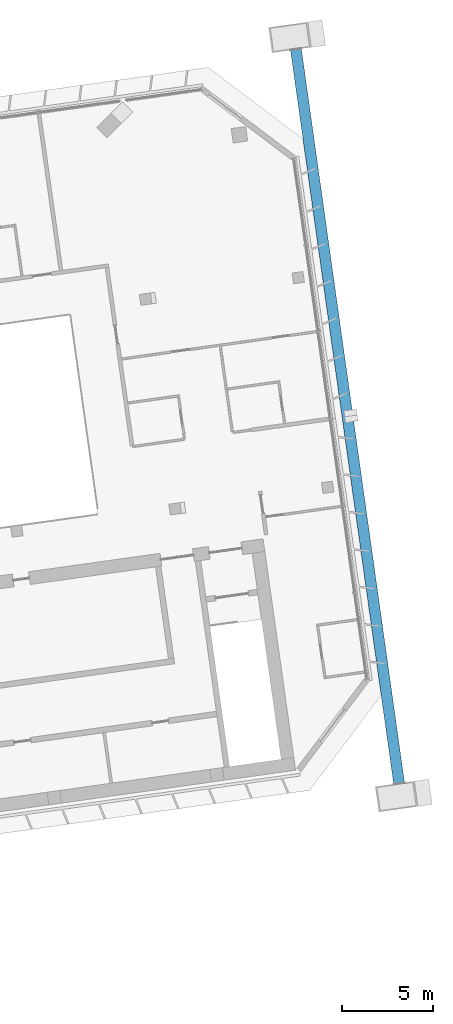
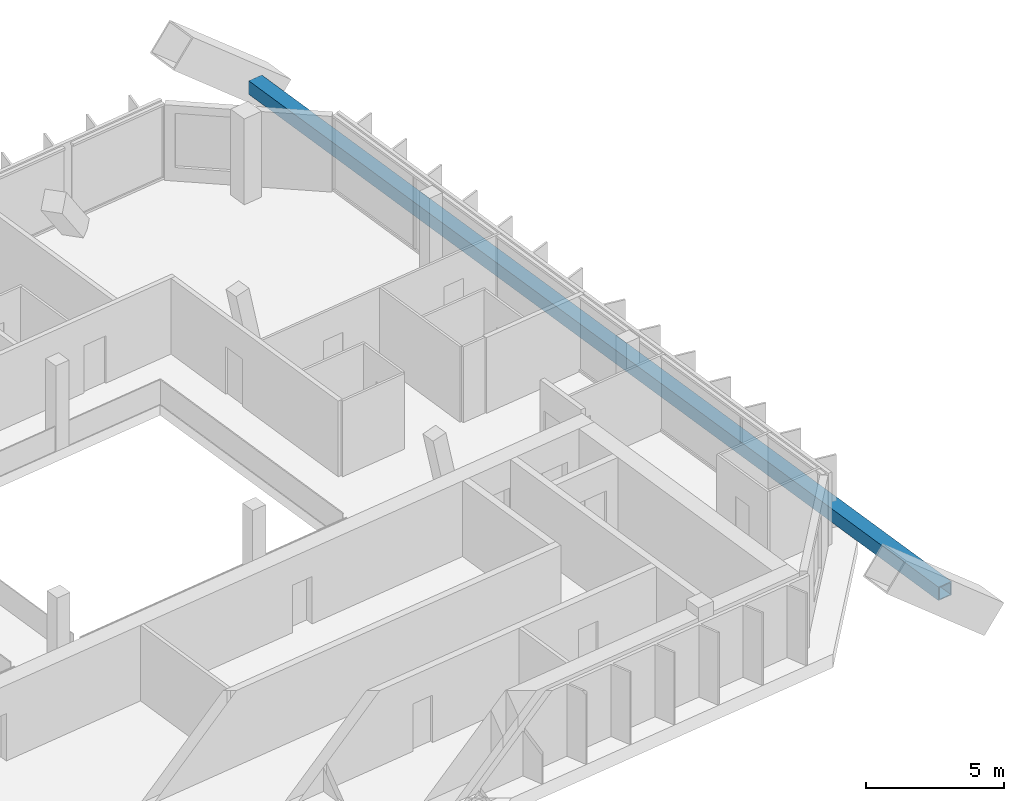
# One storey, part 12 of 32: 1 member.
"""IFC4 building model written with IfcOpenShell, lengths in metres."""

from ifc_helpers import new_model, si_unit, direction, frame, origin, origin_2d, place, context, subcontext, project, spatial, hollow_rectangle, extrude, material, material_profile, profile_set, type_object, element, save


model = new_model("IFC4")

# Units and contexts
model_context = context("Model", 3, precision=1e-05, world=origin(), true_north=direction((0.0, 1.0)))
body_context = subcontext(model_context, "Body", "Model", "MODEL_VIEW")
ifc_project = project(units=[si_unit("LENGTHUNIT", "METRE"), si_unit("AREAUNIT", "SQUARE_METRE"), si_unit("VOLUMEUNIT", "CUBIC_METRE"), si_unit("PLANEANGLEUNIT", "RADIAN"), si_unit("MASSUNIT", "GRAM", prefix="KILO")], contexts=[model_context])

# Site, building, storey
site_placement = place(None, origin())
site = spatial("IfcSite", under=ifc_project, at=site_placement, CompositionType="ELEMENT")
building_placement = place(site_placement, origin())
building = spatial("IfcBuilding", under=site, at=building_placement, Name="Mirante Cascada Hotel Towers", CompositionType="ELEMENT")
storey_placement = place(building_placement, frame((0.0, 0.0, 176.4)))
storey = spatial("IfcBuildingStorey", under=building, at=storey_placement, Name="L41", CompositionType="ELEMENT", Elevation=176.4)

# Member
ifc_material = material(Name="Steel ASTM A572 Gr 50", Category="steel")
ifc_material_profile = material_profile(ifc_material, hollow_rectangle(XDim=0.6, YDim=0.6, WallThickness=0.04, at=origin_2d()), Name="Box chord 600x600x40 ASTM A572 Gr 50")
ifc_profile_set = profile_set([ifc_material_profile], Name="Steel ASTM A572 Gr 50")
member_type = type_object("IfcMemberType", Name="Box chord 600x600x40 ASTM A572 Gr 50", PredefinedType="CHORD", material=ifc_profile_set)
member_placement = place(storey_placement, frame((96.0227, -13.2408, 1.0), z_axis=(-0.1391732, 0.9902681, 0.0), x_axis=(-0.9902681, -0.1391732, 0.0)))
element("IfcMember", 1, at=member_placement, inside=storey, type_object=member_type, Name="exochord T2 L41 1", PredefinedType="CHORD", context=body_context, shape_type="SweptSolid", body=[
    extrude(hollow_rectangle(XDim=0.6, YDim=0.6, WallThickness=0.04, at=origin_2d()), origin(), (0.0, 0.0, 1.0), 40.64),
])

save(model, "model.ifc")
